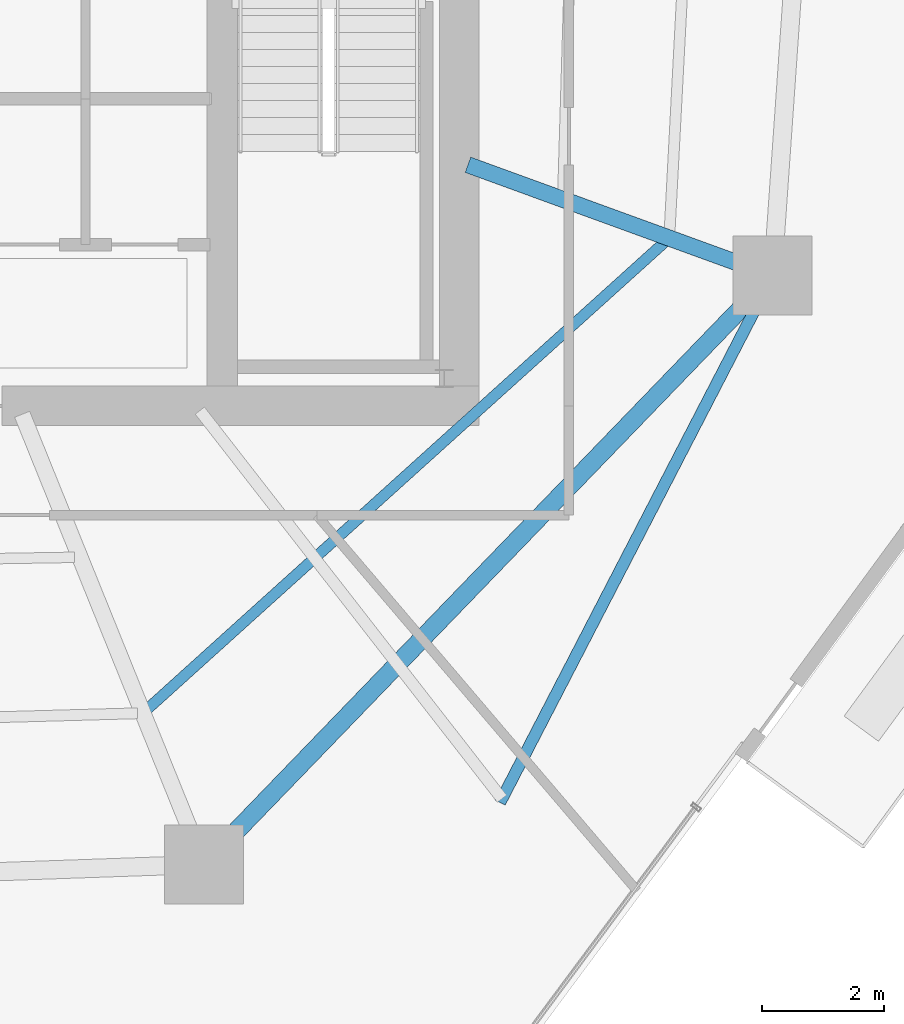
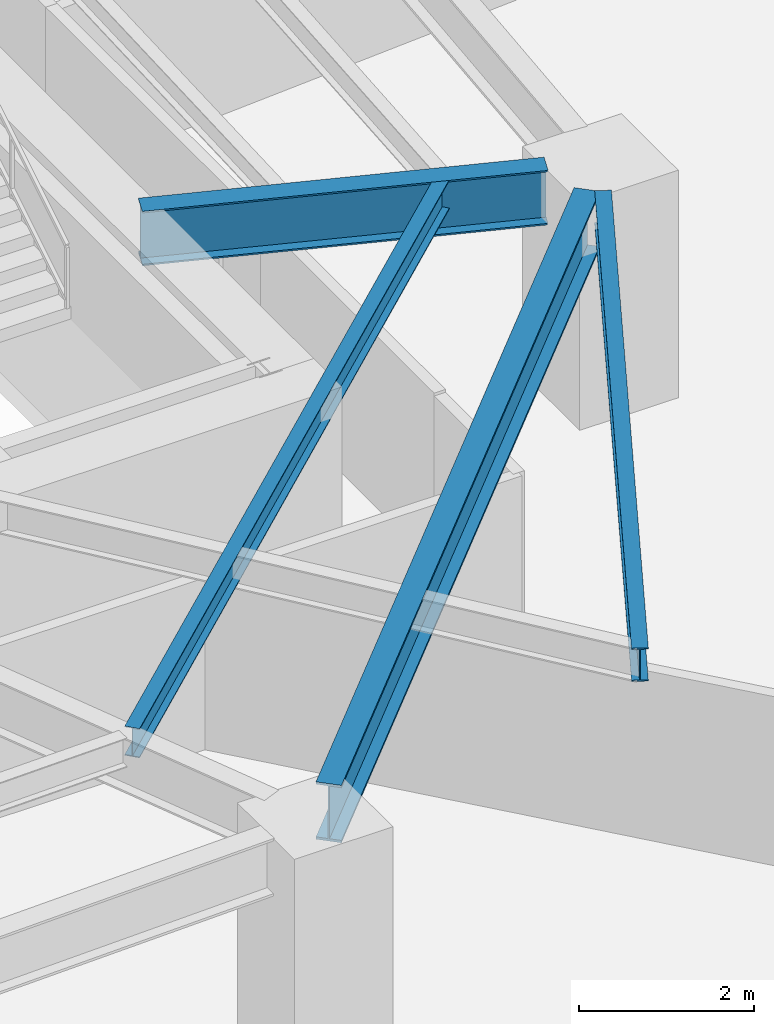
# One storey, part 10 of 28: 4 beams.
"""IFC4 building model written with IfcOpenShell, lengths in metres."""

from ifc_helpers import new_model, si_unit, direction, frame, origin, origin_2d, place, context, subcontext, project, spatial, i_section, extrude, material, material_profile, profile_set, type_object, element, save


model = new_model("IFC4")

# Units and contexts
model_context = context("Model", 3, precision=1e-05, world=origin(), true_north=direction((0.0, 1.0)))
body_context = subcontext(model_context, "Body", "Model", "MODEL_VIEW")
ifc_project = project(units=[si_unit("LENGTHUNIT", "METRE"), si_unit("AREAUNIT", "SQUARE_METRE"), si_unit("VOLUMEUNIT", "CUBIC_METRE"), si_unit("PLANEANGLEUNIT", "RADIAN"), si_unit("MASSUNIT", "GRAM", prefix="KILO")], contexts=[model_context])

# Site, building, storey
site_placement = place(None, origin())
site = spatial("IfcSite", under=ifc_project, at=site_placement, CompositionType="ELEMENT")
building_placement = place(site_placement, origin())
building = spatial("IfcBuilding", under=site, at=building_placement, Name="Qarnah Convention Tower", CompositionType="ELEMENT")
storey_placement = place(building_placement, frame((0.0, 0.0, 44.25)))
storey = spatial("IfcBuildingStorey", under=building, at=storey_placement, Name="L10", CompositionType="ELEMENT", Elevation=44.25)

# Beams
ifc_material = material(Name="Structural steel S355JR", Category="steel")
ifc_material_profile_1 = material_profile(ifc_material, i_section(OverallWidth=0.19189453125, OverallDepth=0.464111328125, WebThickness=0.010986328125, FlangeThickness=0.01806640625, at=origin_2d()), Name="W460X89")
ifc_profile_set_1 = profile_set([ifc_material_profile_1], Name="Structural steel S355JR")
beam_type_1 = type_object("IfcBeamType", Name="BM-CANT-W460A", PredefinedType="BEAM", material=ifc_profile_set_1)
beam_1_placement = place(storey_placement, frame((48.26904296875, 12.074951171875, 2.93798828125), z_axis=(0.459489942742, 0.888182972432, 0.0), x_axis=(-0.888182972432, 0.459489942742, 0.0)))
element("IfcBeam", 1, at=beam_1_placement, inside=storey, type_object=beam_type_1, Name="L10 spandrel BM-L10-CTIE-03", PredefinedType="SPANDREL", context=body_context, shape_type="SweptSolid", body=[
    extrude(i_section(OverallWidth=0.19189453125, OverallDepth=0.464111328125, WebThickness=0.010986328125, FlangeThickness=0.01806640625, at=origin_2d()), origin(), (0.0, 0.0, 1.0), 9.116455078125),
])
ifc_material_profile_2 = material_profile(ifc_material, i_section(OverallWidth=0.177978515625, OverallDepth=0.407958984375, WebThickness=0.008056640625, FlangeThickness=0.012939453125, at=origin_2d()), Name="W410X60")
ifc_profile_set_2 = profile_set([ifc_material_profile_2], Name="Structural steel S355JR")
beam_type_2 = type_object("IfcBeamType", Name="BM-JST-W410", PredefinedType="JOIST", material=ifc_profile_set_2)
beam_2_placement = place(storey_placement, frame((42.4609375, 13.60498046875, 2.966064453125), z_axis=(0.742326054704, 0.67003882612, 0.0), x_axis=(-0.67003882612, 0.742326054704, 0.0)))
element("IfcBeam", 2, at=beam_2_placement, inside=storey, type_object=beam_type_2, Name="L10 joist BM-L10-SJST-08", PredefinedType="JOIST", context=body_context, shape_type="SweptSolid", body=[
    extrude(i_section(OverallWidth=0.177978515625, OverallDepth=0.407958984375, WebThickness=0.008056640625, FlangeThickness=0.012939453125, at=origin_2d()), origin(), (0.0, 0.0, 1.0), 11.483154296875),
])
ifc_material_profile_3 = material_profile(ifc_material, i_section(OverallWidth=0.26806640625, OverallDepth=0.760009765625, WebThickness=0.014892578125, FlangeThickness=0.02197265625, at=origin_2d()), Name="W760X185")
ifc_profile_set_3 = profile_set([ifc_material_profile_3], Name="Structural steel S355JR")
beam_type_3 = type_object("IfcBeamType", Name="BM-RAD-W760", PredefinedType="BEAM", material=ifc_profile_set_3)
beam_3_placement = place(storey_placement, frame((47.740966796875, 22.56396484375, 2.7900390625), z_axis=(0.939656930297, -0.342118186224, 0.0), x_axis=(0.342118186224, 0.939656930297, 0.0)))
element("IfcBeam", 3, at=beam_3_placement, inside=storey, type_object=beam_type_3, Name="L10 beam BM-L10-RAD-09", PredefinedType="BEAM", context=body_context, shape_type="SweptSolid", body=[
    extrude(i_section(OverallWidth=0.26806640625, OverallDepth=0.760009765625, WebThickness=0.014892578125, FlangeThickness=0.02197265625, at=origin_2d()), origin(), (0.0, 0.0, 1.0), 4.70263671875),
])
ifc_material_profile_4 = material_profile(ifc_material, i_section(OverallWidth=0.300048828125, OverallDepth=0.800048828125, WebThickness=0.01806640625, FlangeThickness=0.032958984375, at=origin_2d()), Name="HEB800")
ifc_profile_set_4 = profile_set([ifc_material_profile_4], Name="Structural steel S355JR")
beam_type_4 = type_object("IfcBeamType", Name="BM-RING-HEB800", PredefinedType="BEAM", material=ifc_profile_set_4)
beam_4_placement = place(storey_placement, frame((43.844970703125, 11.514892578125, 2.77001953125), z_axis=(0.694553028655, 0.719441512832, 0.0), x_axis=(-0.719441512832, 0.694553028655, 0.0)))
element("IfcBeam", 4, at=beam_4_placement, inside=storey, type_object=beam_type_4, Name="L10 beam BM-L10-SPN-08", PredefinedType="BEAM", context=body_context, shape_type="SweptSolid", body=[
    extrude(i_section(OverallWidth=0.300048828125, OverallDepth=0.800048828125, WebThickness=0.01806640625, FlangeThickness=0.032958984375, at=origin_2d()), origin(), (0.0, 0.0, 1.0), 12.183349609375),
])

save(model, "model.ifc")
